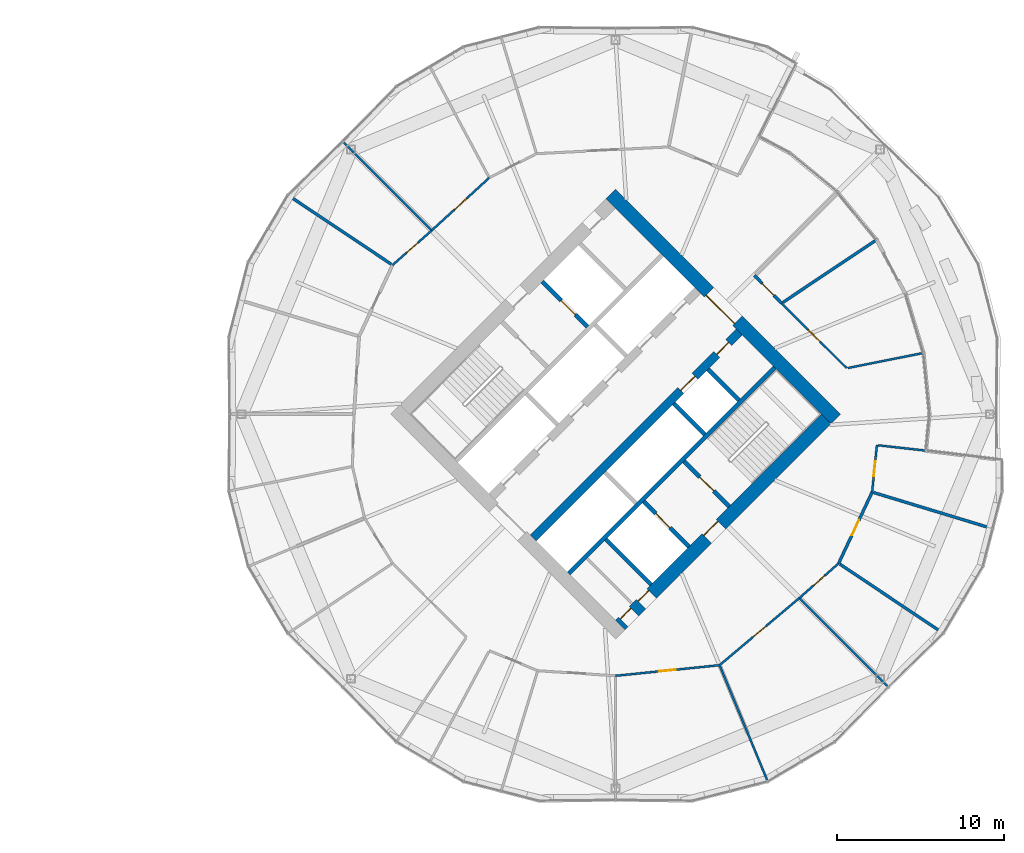
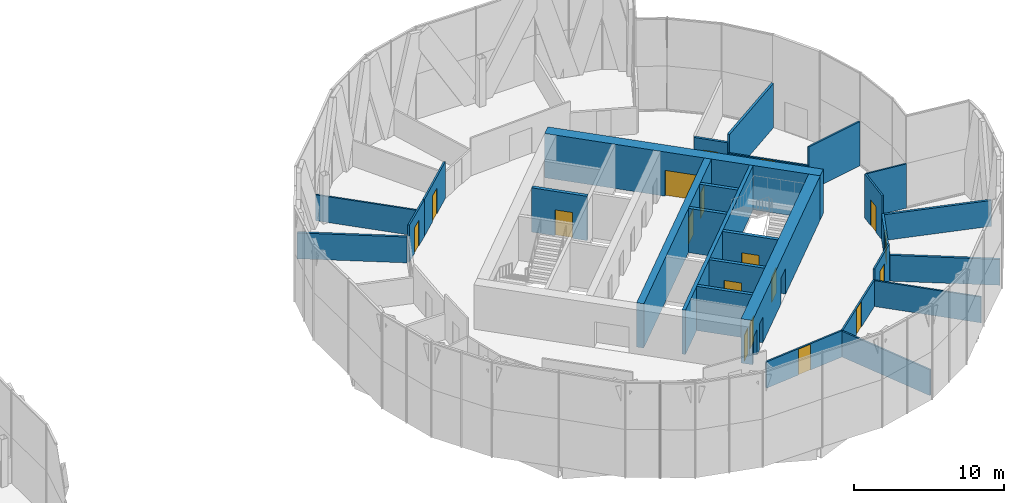
# One storey, part 22 of 27: 28 walls, 18 doors, 18 openings.
"""IFC4 building model written with IfcOpenShell, lengths in metres."""

from ifc_helpers import new_model, si_unit, direction, frame, frame_2d, origin, place, context, subcontext, project, spatial, rectangle, extrude, material, layer, layer_set, type_object, element, fill, save


model = new_model("IFC4")

# Units and contexts
model_context = context("Model", 3, precision=1e-05, world=origin(), true_north=direction((0.0, 1.0)))
body_context = subcontext(model_context, "Body", "Model", "MODEL_VIEW")
ifc_project = project(units=[si_unit("LENGTHUNIT", "METRE"), si_unit("AREAUNIT", "SQUARE_METRE"), si_unit("VOLUMEUNIT", "CUBIC_METRE"), si_unit("PLANEANGLEUNIT", "RADIAN"), si_unit("MASSUNIT", "GRAM", prefix="KILO")], contexts=[model_context])

# Site, building, storey
site_placement = place(None, origin())
site = spatial("IfcSite", under=ifc_project, at=site_placement, CompositionType="ELEMENT")
building_placement = place(site_placement, origin())
building = spatial("IfcBuilding", under=site, at=building_placement, Name="Ogive Gate Towers", CompositionType="ELEMENT")
storey_placement = place(building_placement, frame((0.0, 0.0, 123.0)))
storey = spatial("IfcBuildingStorey", under=building, at=storey_placement, Name="L29", CompositionType="ELEMENT", Elevation=123.0)

# Walls
ifc_material_1 = material(Name="Gypsum board acoustic partition")
ifc_layer_1 = layer(ifc_material_1, 0.175048828125)
ifc_layer_set_1 = layer_set([ifc_layer_1], Name="Acoustic partition 175")
wall_type_1 = type_object("IfcWallType", Name="Acoustic partition 175", PredefinedType="PARTITIONING", material=ifc_layer_set_1)
wall_1_placement = place(storey_placement, frame((51.506591796875, 10.361083984375, 0.0), z_axis=(0.0, 0.0, 1.0), x_axis=(-0.831466458256, -0.555574953356, 0.0)))
element("IfcWall", 1, at=wall_1_placement, inside=storey, type_object=wall_type_1, Name="Partition T2-L29-002", PredefinedType="PARTITIONING", context=body_context, shape_type="SweptSolid", body=[
    extrude(rectangle(XDim=6.631591796875, YDim=0.175048828125, at=frame_2d((3.31591796875, 0.0))), origin(), (0.0, 0.0, 1.0), 3.60009765625),
])
for number, where, z_axis, x_axis, name in (
    (2, (16.506591796875, 13.0341796875, 0.0), (0.0, 0.0, 1.0), (0.831291310692, -0.555836987585, 0.0), "Partition T2-L29-009"),
    (3, (55.493408203125, -13.0341796875, 0.0), (0.0, 0.0, 1.0), (-0.831291310692, 0.555836987585, 0.0), "Partition T2-L29-021"),
    (4, (58.4248046875, -6.80859375, 0.0), (0.0, 0.0, 1.0), (-0.956872477348, 0.290508282317, 0.0), "Partition T2-L29-022"),
):
    element("IfcWall", number, at=place(storey_placement, frame(where, z_axis=z_axis, x_axis=x_axis)), inside=storey, type_object=wall_type_1, Name=name, PredefinedType="PARTITIONING", context=body_context, shape_type="SweptSolid", body=[
        extrude(rectangle(XDim=7.33154296875, YDim=0.175048828125, at=frame_2d((3.665771484375, 0.0))), origin(), (0.0, 0.0, 1.0), 2.10009765625),
    ])

# Wall, opening, door
wall_2_placement = place(storey_placement, frame((44.294677734375, 8.294677734375, 0.0), z_axis=(0.0, 0.0, 1.0), x_axis=(0.698188847293, -0.715913635515, 0.0)))
wall_2 = element("IfcWall", 5, at=wall_2_placement, inside=storey, type_object=wall_type_1, Name="Partition T2-L29-035", PredefinedType="PARTITIONING", context=body_context, shape_type="SweptSolid", body=[
    extrude(rectangle(XDim=2.327880859375, YDim=0.175048828125, at=frame_2d((1.1640625, 0.0))), origin(), (0.0, 0.0, 1.0), 3.010009765625),
])
opening_1_placement = place(wall_2_placement, frame((0.6640625, 0.0, 0.0)))
opening_1 = element("IfcOpeningElement", 6, at=opening_1_placement, cuts=wall_2, Name="Opening T2-L29-D12", PredefinedType="OPENING", context=body_context, shape_type="SweptSolid", body=[
    extrude(rectangle(XDim=1.0, YDim=2.10009765625, at=frame_2d((0.5, 1.050048828125))), frame((0.0, 0.09765625, 0.0), z_axis=(0.0, -1.0, 0.0), x_axis=(1.0, 0.0, 0.0)), (0.0, 0.0, 1.0), 0.195068359375),
])
ifc_material_2 = material(Name="Timber door", Category="wood")
door_type_1 = type_object("IfcDoorType", Name="Door 1000", OperationType="NOTDEFINED", PredefinedType="DOOR", material=ifc_material_2)
door_1_placement = place(opening_1_placement, origin())
door_1 = element("IfcDoor", 7, at=door_1_placement, inside=storey, type_object=door_type_1, Name="Door T2-L29-D12", OperationType="SINGLE_SWING_LEFT", OverallHeight=2.10009765625, OverallWidth=1.0, PredefinedType="DOOR", context=body_context, shape_type="SweptSolid", body=[
    extrude(rectangle(XDim=1.0, YDim=2.10009765625, at=frame_2d((0.5, 1.050048828125))), frame((0.0, 0.02490234375, 0.0), z_axis=(0.0, -1.0, 0.0), x_axis=(1.0, 0.0, 0.0)), (0.0, 0.0, 1.0), 0.050048828125),
])
fill(opening_1, door_1)

wall_3_placement = place(storey_placement, frame((51.32568359375, -4.6533203125, 0.0), z_axis=(0.0, 0.0, 1.0), x_axis=(-0.425174486492, -0.905111405318, 0.0)))
wall_3 = element("IfcWall", 8, at=wall_3_placement, inside=storey, type_object=wall_type_1, Name="Partition T2-L29-038", PredefinedType="PARTITIONING", context=body_context, shape_type="SweptSolid", body=[
    extrude(rectangle(XDim=4.703369140625, YDim=0.175048828125, at=frame_2d((2.3515625, 0.0))), origin(), (0.0, 0.0, 1.0), 2.139892578125),
])
opening_2_placement = place(wall_3_placement, frame((1.85205078125, 0.0, 0.0)))
opening_2 = element("IfcOpeningElement", 9, at=opening_2_placement, cuts=wall_3, Name="Opening T2-L29-D15", PredefinedType="OPENING", context=body_context, shape_type="SweptSolid", body=[
    extrude(rectangle(XDim=1.0, YDim=2.10009765625, at=frame_2d((0.5, 1.050048828125))), frame((0.0, 0.09765625, 0.0), z_axis=(0.0, -1.0, 0.0), x_axis=(1.0, 0.0, 0.0)), (0.0, 0.0, 1.0), 0.195068359375),
])
door_2_placement = place(opening_2_placement, origin())
door_2 = element("IfcDoor", 10, at=door_2_placement, inside=storey, type_object=door_type_1, Name="Door T2-L29-D15", OperationType="SINGLE_SWING_LEFT", OverallHeight=2.10009765625, OverallWidth=1.0, PredefinedType="DOOR", context=body_context, shape_type="SweptSolid", body=[
    extrude(rectangle(XDim=1.0, YDim=2.10009765625, at=frame_2d((0.5, 1.050048828125))), frame((0.0, 0.02490234375, 0.0), z_axis=(0.0, -1.0, 0.0), x_axis=(1.0, 0.0, 0.0)), (0.0, 0.0, 1.0), 0.050048828125),
])
fill(opening_2, door_2)

# Wall, openings, doors
ifc_material_3 = material(Name="Concrete C60/75", Category="concrete")
ifc_layer_2 = layer(ifc_material_3, 0.800048828125)
ifc_layer_set_2 = layer_set([ifc_layer_2], Name="Core wall 800 mm")
wall_type_2 = type_object("IfcWallType", Name="Core wall 800 mm", PredefinedType="SHEAR", material=ifc_layer_set_2)
wall_4_placement = place(storey_placement, frame((36.28271484375, -12.58642578125, 0.0), z_axis=(0.0, 0.0, 1.0), x_axis=(0.707106781187, 0.707106781187, 0.0)))
wall_4 = element("IfcWall", 11, at=wall_4_placement, inside=storey, type_object=wall_type_2, Name="T2 L29 Core wall 800 mm", PredefinedType="SHEAR", context=body_context, shape_type="SweptSolid", body=[
    extrude(rectangle(XDim=17.400146484375, YDim=0.800048828125, at=frame_2d((8.7001953125, 0.0))), origin(), (0.0, 0.0, 1.0), 3.60009765625),
])
opening_3_placement = place(wall_4_placement, frame((7.300048828125, 0.0, 0.0)))
opening_3 = element("IfcOpeningElement", 12, at=opening_3_placement, cuts=wall_4, Name="Opening KD-T2-L29-16", PredefinedType="OPENING", context=body_context, shape_type="SweptSolid", body=[
    extrude(rectangle(XDim=1.199951171875, YDim=2.10009765625, at=frame_2d((0.60009765625, 1.050048828125))), frame((0.0, 0.41015625, 0.0), z_axis=(0.0, -1.0, 0.0), x_axis=(1.0, 0.0, 0.0)), (0.0, 0.0, 1.0), 0.820068359375),
])
opening_4_placement = place(wall_4_placement, frame((0.25, 0.0, 0.0)))
opening_4 = element("IfcOpeningElement", 13, at=opening_4_placement, cuts=wall_4, Name="Opening KD-T2-L29-18", PredefinedType="OPENING", context=body_context, shape_type="SweptSolid", body=[
    extrude(rectangle(XDim=0.89990234375, YDim=2.10009765625, at=frame_2d((0.449951171875, 1.050048828125))), frame((0.0, 0.41015625, 0.0), z_axis=(0.0, -1.0, 0.0), x_axis=(1.0, 0.0, 0.0)), (0.0, 0.0, 1.0), 0.820068359375),
])
opening_5_placement = place(wall_4_placement, frame((1.75, 0.0, 0.0)))
opening_5 = element("IfcOpeningElement", 14, at=opening_5_placement, cuts=wall_4, Name="Opening KD-T2-L29-19", PredefinedType="OPENING", context=body_context, shape_type="SweptSolid", body=[
    extrude(rectangle(XDim=0.89990234375, YDim=2.10009765625, at=frame_2d((0.449951171875, 1.050048828125))), frame((0.0, 0.41015625, 0.0), z_axis=(0.0, -1.0, 0.0), x_axis=(1.0, 0.0, 0.0)), (0.0, 0.0, 1.0), 0.820068359375),
])
door_type_2 = type_object("IfcDoorType", Name="Core WC door 900 x 2100", OperationType="NOTDEFINED", PredefinedType="DOOR", material=ifc_material_2)
door_3_placement = place(opening_4_placement, origin())
door_3 = element("IfcDoor", 15, at=door_3_placement, inside=storey, type_object=door_type_2, Name="T2 L29 Core door", OperationType="SINGLE_SWING_LEFT", OverallHeight=2.10009765625, OverallWidth=0.89990234375, PredefinedType="DOOR", context=body_context, shape_type="SweptSolid", body=[
    extrude(rectangle(XDim=0.89990234375, YDim=2.10009765625, at=frame_2d((0.449951171875, 1.050048828125))), frame((0.0, 0.27490234375, 0.0), z_axis=(0.0, -1.0, 0.0), x_axis=(1.0, 0.0, 0.0)), (0.0, 0.0, 1.0), 0.050048828125),
])
fill(opening_4, door_3)
door_4_placement = place(opening_5_placement, origin())
door_4 = element("IfcDoor", 16, at=door_4_placement, inside=storey, type_object=door_type_2, Name="T2 L29 Core door", OperationType="SINGLE_SWING_RIGHT", OverallHeight=2.10009765625, OverallWidth=0.89990234375, PredefinedType="DOOR", context=body_context, shape_type="SweptSolid", body=[
    extrude(rectangle(XDim=0.89990234375, YDim=2.10009765625, at=frame_2d((0.449951171875, 1.050048828125))), frame((0.0, 0.27490234375, 0.0), z_axis=(0.0, -1.0, 0.0), x_axis=(1.0, 0.0, 0.0)), (0.0, 0.0, 1.0), 0.050048828125),
])
fill(opening_5, door_4)
ifc_material_4 = material(Name="Steel fire door", Category="steel")
door_type_3 = type_object("IfcDoorType", Name="Core door FD60S 1200 x 2100", OperationType="NOTDEFINED", PredefinedType="DOOR", material=ifc_material_4)
door_5_placement = place(opening_3_placement, origin())
door_5 = element("IfcDoor", 17, at=door_5_placement, inside=storey, type_object=door_type_3, Name="T2 L29 Fire-fighting lobby door", OperationType="SINGLE_SWING_LEFT", OverallHeight=2.10009765625, OverallWidth=1.199951171875, PredefinedType="DOOR", context=body_context, shape_type="SweptSolid", body=[
    extrude(rectangle(XDim=1.199951171875, YDim=2.10009765625, at=frame_2d((0.60009765625, 1.050048828125))), frame((0.0, 0.27490234375, 0.0), z_axis=(0.0, -1.0, 0.0), x_axis=(1.0, 0.0, 0.0)), (0.0, 0.0, 1.0), 0.050048828125),
])
fill(opening_3, door_5)

# Wall, opening, door
wall_5_placement = place(storey_placement, frame((49.152099609375, -0.28271484375, 0.0), z_axis=(0.0, 0.0, 1.0), x_axis=(-0.707106781187, 0.707106781187, 0.0)))
wall_5 = element("IfcWall", 18, at=wall_5_placement, inside=storey, type_object=wall_type_2, Name="T2 L29 Core wall 800 mm", PredefinedType="SHEAR", context=body_context, shape_type="SweptSolid", body=[
    extrude(rectangle(XDim=18.999755859375, YDim=0.800048828125, at=frame_2d((9.5, 0.0))), origin(), (0.0, 0.0, 1.0), 3.60009765625),
])
opening_6_placement = place(wall_5_placement, frame((8.300048828125, 0.0, 0.0)))
opening_6 = element("IfcOpeningElement", 19, at=opening_6_placement, cuts=wall_5, Name="Opening KD-T2-L29-02", PredefinedType="OPENING", context=body_context, shape_type="SweptSolid", body=[
    extrude(rectangle(XDim=2.39990234375, YDim=2.10009765625, at=frame_2d((1.199951171875, 1.050048828125))), frame((0.0, 0.41015625, 0.0), z_axis=(0.0, -1.0, 0.0), x_axis=(1.0, 0.0, 0.0)), (0.0, 0.0, 1.0), 0.820068359375),
])
door_type_4 = type_object("IfcDoorType", Name="Core double door FD60S 2400 x 2100", OperationType="DOUBLE_DOOR_SINGLE_SWING", PredefinedType="DOOR", material=ifc_material_4)
door_6_placement = place(opening_6_placement, origin())
door_6 = element("IfcDoor", 20, at=door_6_placement, inside=storey, type_object=door_type_4, Name="T2 L29 Core door double", OperationType="DOUBLE_DOOR_SINGLE_SWING", OverallHeight=2.10009765625, OverallWidth=2.39990234375, PredefinedType="DOOR", context=body_context, shape_type="SweptSolid", body=[
    extrude(rectangle(XDim=2.39990234375, YDim=2.10009765625, at=frame_2d((1.199951171875, 1.050048828125))), frame((0.0, 0.27490234375, 0.0), z_axis=(0.0, -1.0, 0.0), x_axis=(1.0, 0.0, 0.0)), (0.0, 0.0, 1.0), 0.050048828125),
])
fill(opening_6, door_6)

# Walls
ifc_material_5 = material(Name="Gypsum board partition")
ifc_layer_3 = layer(ifc_material_5, 0.125)
ifc_layer_set_3 = layer_set([ifc_layer_3], Name="Partition 125")
wall_type_3 = type_object("IfcWallType", Name="Partition 125", PredefinedType="PARTITIONING", material=ifc_layer_set_3)
wall_6_placement = place(storey_placement, frame((54.291015625, 3.63818359375, 0.0), z_axis=(0.0, 0.0, 1.0), x_axis=(-0.980786415449, -0.195084615667, 0.0)))
element("IfcWall", 21, at=wall_6_placement, inside=storey, type_object=wall_type_3, Name="Partition T2-L29-001", PredefinedType="PARTITIONING", context=body_context, shape_type="SweptSolid", body=[
    extrude(rectangle(XDim=4.506591796875, YDim=0.125, at=frame_2d((2.25341796875, 0.0))), origin(), (0.0, 0.0, 1.0), 3.60009765625),
])
wall_7_placement = place(storey_placement, frame((19.772705078125, 16.227294921875, 0.0), z_axis=(0.0, 0.0, 1.0), x_axis=(0.707106781187, -0.707106781187, 0.0)))
element("IfcWall", 22, at=wall_7_placement, inside=storey, type_object=wall_type_3, Name="Partition T2-L29-008", PredefinedType="PARTITIONING", context=body_context, shape_type="SweptSolid", body=[
    extrude(rectangle(XDim=7.356201171875, YDim=0.125, at=frame_2d((3.67822265625, 0.0))), origin(), (0.0, 0.0, 1.0), 2.10009765625),
])
wall_8_placement = place(storey_placement, frame((45.05029296875, -21.849853515625, 0.0), z_axis=(0.0, 0.0, 1.0), x_axis=(-0.382675179038, 0.923882951108, 0.0)))
element("IfcWall", 23, at=wall_8_placement, inside=storey, type_object=wall_type_3, Name="Partition T2-L29-019", PredefinedType="PARTITIONING", context=body_context, shape_type="SweptSolid", body=[
    extrude(rectangle(XDim=7.356689453125, YDim=0.125, at=frame_2d((3.67822265625, 0.0))), origin(), (0.0, 0.0, 1.0), 2.10009765625),
])
wall_9_placement = place(storey_placement, frame((52.227294921875, -16.227294921875, 0.0), z_axis=(0.0, 0.0, 1.0), x_axis=(-0.707106781187, 0.707106781187, 0.0)))
element("IfcWall", 24, at=wall_9_placement, inside=storey, type_object=wall_type_3, Name="Partition T2-L29-020", PredefinedType="PARTITIONING", context=body_context, shape_type="SweptSolid", body=[
    extrude(rectangle(XDim=7.356201171875, YDim=0.125, at=frame_2d((3.67822265625, 0.0))), origin(), (0.0, 0.0, 1.0), 2.10009765625),
])
wall_10_placement = place(storey_placement, frame((54.5361328125, -2.17529296875, 0.0), z_axis=(0.0, 0.0, 1.0), x_axis=(-0.993844391456, 0.110785042186, 0.0)))
element("IfcWall", 25, at=wall_10_placement, inside=storey, type_object=wall_type_3, Name="Partition T2-L29-023", PredefinedType="PARTITIONING", context=body_context, shape_type="SweptSolid", body=[
    extrude(rectangle(XDim=2.88037109375, YDim=0.125, at=frame_2d((1.440185546875, 0.0))), origin(), (0.0, 0.0, 1.0), 3.60009765625),
])

# Wall, opening, door
wall_11_placement = place(storey_placement, frame((22.674072265625, 8.910400390625, 0.0), z_axis=(0.0, 0.0, 1.0), x_axis=(0.749459658288, 0.662050013669, 0.0)))
wall_11 = element("IfcWall", 26, at=wall_11_placement, inside=storey, type_object=wall_type_3, Name="Partition T2-L29-030", PredefinedType="PARTITIONING", context=body_context, shape_type="SweptSolid", body=[
    extrude(rectangle(XDim=3.128173828125, YDim=0.125, at=frame_2d((1.56396484375, 0.0))), origin(), (0.0, 0.0, 1.0), 3.010009765625),
])
opening_7_placement = place(wall_11_placement, frame((1.114013671875, 0.0, 0.0)))
opening_7 = element("IfcOpeningElement", 27, at=opening_7_placement, cuts=wall_11, Name="Opening T2-L29-D07", PredefinedType="OPENING", context=body_context, shape_type="SweptSolid", body=[
    extrude(rectangle(XDim=0.89990234375, YDim=2.10009765625, at=frame_2d((0.449951171875, 1.050048828125))), frame((0.0, 0.072509765625, 0.0), z_axis=(0.0, -1.0, 0.0), x_axis=(1.0, 0.0, 0.0)), (0.0, 0.0, 1.0), 0.14501953125),
])
door_type_5 = type_object("IfcDoorType", Name="Door 900", OperationType="NOTDEFINED", PredefinedType="DOOR", material=ifc_material_2)
door_7_placement = place(opening_7_placement, origin())
door_7 = element("IfcDoor", 28, at=door_7_placement, inside=storey, type_object=door_type_5, Name="Door T2-L29-D07", OperationType="SINGLE_SWING_LEFT", OverallHeight=2.10009765625, OverallWidth=0.89990234375, PredefinedType="DOOR", context=body_context, shape_type="SweptSolid", body=[
    extrude(rectangle(XDim=0.89990234375, YDim=2.10009765625, at=frame_2d((0.449951171875, 1.050048828125))), frame((0.0, 0.02490234375, 0.0), z_axis=(0.0, -1.0, 0.0), x_axis=(1.0, 0.0, 0.0)), (0.0, 0.0, 1.0), 0.050048828125),
])
fill(opening_7, door_7)

wall_12_placement = place(storey_placement, frame((25.0185546875, 10.9814453125, 0.0), z_axis=(0.0, 0.0, 1.0), x_axis=(0.737480412375, 0.675368522633, 0.0)))
wall_12 = element("IfcWall", 29, at=wall_12_placement, inside=storey, type_object=wall_type_3, Name="Partition T2-L29-031", PredefinedType="PARTITIONING", context=body_context, shape_type="SweptSolid", body=[
    extrude(rectangle(XDim=4.65771484375, YDim=0.125, at=frame_2d((2.328857421875, 0.0))), origin(), (0.0, 0.0, 1.0), 3.010009765625),
])
opening_8_placement = place(wall_12_placement, frame((1.8291015625, 0.0, 0.0)))
opening_8 = element("IfcOpeningElement", 30, at=opening_8_placement, cuts=wall_12, Name="Opening T2-L29-D08", PredefinedType="OPENING", context=body_context, shape_type="SweptSolid", body=[
    extrude(rectangle(XDim=1.0, YDim=2.10009765625, at=frame_2d((0.5, 1.050048828125))), frame((0.0, 0.072509765625, 0.0), z_axis=(0.0, -1.0, 0.0), x_axis=(1.0, 0.0, 0.0)), (0.0, 0.0, 1.0), 0.14501953125),
])
door_8_placement = place(opening_8_placement, origin())
door_8 = element("IfcDoor", 31, at=door_8_placement, inside=storey, type_object=door_type_1, Name="Door T2-L29-D08", OperationType="SINGLE_SWING_LEFT", OverallHeight=2.10009765625, OverallWidth=1.0, PredefinedType="DOOR", context=body_context, shape_type="SweptSolid", body=[
    extrude(rectangle(XDim=1.0, YDim=2.10009765625, at=frame_2d((0.5, 1.050048828125))), frame((0.0, 0.02490234375, 0.0), z_axis=(0.0, -1.0, 0.0), x_axis=(1.0, 0.0, 0.0)), (0.0, 0.0, 1.0), 0.050048828125),
])
fill(opening_8, door_8)

wall_13_placement = place(storey_placement, frame((45.919921875, 6.628173828125, 0.0), z_axis=(0.0, 0.0, 1.0), x_axis=(0.707883857498, -0.706328849966, 0.0)))
wall_13 = element("IfcWall", 32, at=wall_13_placement, inside=storey, type_object=wall_type_3, Name="Partition T2-L29-036", PredefinedType="PARTITIONING", context=body_context, shape_type="SweptSolid", body=[
    extrude(rectangle(XDim=5.4951171875, YDim=0.125, at=frame_2d((2.74755859375, 0.0))), origin(), (0.0, 0.0, 1.0), 2.139892578125),
])
opening_9_placement = place(wall_13_placement, frame((2.248046875, 0.0, 0.0)))
opening_9 = element("IfcOpeningElement", 33, at=opening_9_placement, cuts=wall_13, Name="Opening T2-L29-D13", PredefinedType="OPENING", context=body_context, shape_type="SweptSolid", body=[
    extrude(rectangle(XDim=1.0, YDim=2.10009765625, at=frame_2d((0.5, 1.050048828125))), frame((0.0, 0.072509765625, 0.0), z_axis=(0.0, -1.0, 0.0), x_axis=(1.0, 0.0, 0.0)), (0.0, 0.0, 1.0), 0.14501953125),
])
door_9_placement = place(opening_9_placement, origin())
door_9 = element("IfcDoor", 34, at=door_9_placement, inside=storey, type_object=door_type_1, Name="Door T2-L29-D13", OperationType="SINGLE_SWING_RIGHT", OverallHeight=2.10009765625, OverallWidth=1.0, PredefinedType="DOOR", context=body_context, shape_type="SweptSolid", body=[
    extrude(rectangle(XDim=1.0, YDim=2.10009765625, at=frame_2d((0.5, 1.050048828125))), frame((0.0, 0.02490234375, 0.0), z_axis=(0.0, -1.0, 0.0), x_axis=(1.0, 0.0, 0.0)), (0.0, 0.0, 1.0), 0.050048828125),
])
fill(opening_9, door_9)

wall_14_placement = place(storey_placement, frame((51.61181640625, -1.848876953125, 0.0), z_axis=(0.0, 0.0, 1.0), x_axis=(-0.101501443312, -0.994835391914, 0.0)))
wall_14 = element("IfcWall", 35, at=wall_14_placement, inside=storey, type_object=wall_type_3, Name="Partition T2-L29-037", PredefinedType="PARTITIONING", context=body_context, shape_type="SweptSolid", body=[
    extrude(rectangle(XDim=2.819091796875, YDim=0.125, at=frame_2d((1.40966796875, 0.0))), origin(), (0.0, 0.0, 1.0), 3.60009765625),
])
opening_10_placement = place(wall_14_placement, frame((0.97412109375, 0.0, 0.0)))
opening_10 = element("IfcOpeningElement", 36, at=opening_10_placement, cuts=wall_14, Name="Opening T2-L29-D14", PredefinedType="OPENING", context=body_context, shape_type="SweptSolid", body=[
    extrude(rectangle(XDim=0.89990234375, YDim=2.10009765625, at=frame_2d((0.449951171875, 1.050048828125))), frame((0.0, 0.072509765625, 0.0), z_axis=(0.0, -1.0, 0.0), x_axis=(1.0, 0.0, 0.0)), (0.0, 0.0, 1.0), 0.14501953125),
])
door_10_placement = place(opening_10_placement, origin())
door_10 = element("IfcDoor", 37, at=door_10_placement, inside=storey, type_object=door_type_5, Name="Door T2-L29-D14", OperationType="SINGLE_SWING_RIGHT", OverallHeight=2.10009765625, OverallWidth=0.89990234375, PredefinedType="DOOR", context=body_context, shape_type="SweptSolid", body=[
    extrude(rectangle(XDim=0.89990234375, YDim=2.10009765625, at=frame_2d((0.449951171875, 1.050048828125))), frame((0.0, 0.02490234375, 0.0), z_axis=(0.0, -1.0, 0.0), x_axis=(1.0, 0.0, 0.0)), (0.0, 0.0, 1.0), 0.050048828125),
])
fill(opening_10, door_10)

wall_15_placement = place(storey_placement, frame((49.325927734375, -8.910400390625, 0.0), z_axis=(0.0, 0.0, 1.0), x_axis=(-0.749459658288, -0.662050013669, 0.0)))
wall_15 = element("IfcWall", 38, at=wall_15_placement, inside=storey, type_object=wall_type_3, Name="Partition T2-L29-039", PredefinedType="PARTITIONING", context=body_context, shape_type="SweptSolid", body=[
    extrude(rectangle(XDim=3.128173828125, YDim=0.125, at=frame_2d((1.56396484375, 0.0))), origin(), (0.0, 0.0, 1.0), 3.010009765625),
])
opening_11_placement = place(wall_15_placement, frame((1.114013671875, 0.0, 0.0)))
opening_11 = element("IfcOpeningElement", 39, at=opening_11_placement, cuts=wall_15, Name="Opening T2-L29-D16", PredefinedType="OPENING", context=body_context, shape_type="SweptSolid", body=[
    extrude(rectangle(XDim=0.89990234375, YDim=2.10009765625, at=frame_2d((0.449951171875, 1.050048828125))), frame((0.0, 0.072509765625, 0.0), z_axis=(0.0, -1.0, 0.0), x_axis=(1.0, 0.0, 0.0)), (0.0, 0.0, 1.0), 0.14501953125),
])
door_11_placement = place(opening_11_placement, origin())
door_11 = element("IfcDoor", 40, at=door_11_placement, inside=storey, type_object=door_type_5, Name="Door T2-L29-D16", OperationType="SINGLE_SWING_RIGHT", OverallHeight=2.10009765625, OverallWidth=0.89990234375, PredefinedType="DOOR", context=body_context, shape_type="SweptSolid", body=[
    extrude(rectangle(XDim=0.89990234375, YDim=2.10009765625, at=frame_2d((0.449951171875, 1.050048828125))), frame((0.0, 0.02490234375, 0.0), z_axis=(0.0, -1.0, 0.0), x_axis=(1.0, 0.0, 0.0)), (0.0, 0.0, 1.0), 0.050048828125),
])
fill(opening_11, door_11)

wall_16_placement = place(storey_placement, frame((46.9814453125, -10.9814453125, 0.0), z_axis=(0.0, 0.0, 1.0), x_axis=(-0.765140649308, -0.643863173956, 0.0)))
wall_16 = element("IfcWall", 41, at=wall_16_placement, inside=storey, type_object=wall_type_3, Name="Partition T2-L29-040", PredefinedType="PARTITIONING", context=body_context, shape_type="SweptSolid", body=[
    extrude(rectangle(XDim=6.234375, YDim=0.125, at=frame_2d((3.1171875, 0.0))), origin(), (0.0, 0.0, 1.0), 2.139892578125),
])
opening_12_placement = place(wall_16_placement, frame((2.616943359375, 0.0, 0.0)))
opening_12 = element("IfcOpeningElement", 42, at=opening_12_placement, cuts=wall_16, Name="Opening T2-L29-D17", PredefinedType="OPENING", context=body_context, shape_type="SweptSolid", body=[
    extrude(rectangle(XDim=1.0, YDim=2.10009765625, at=frame_2d((0.5, 1.050048828125))), frame((0.0, 0.072509765625, 0.0), z_axis=(0.0, -1.0, 0.0), x_axis=(1.0, 0.0, 0.0)), (0.0, 0.0, 1.0), 0.14501953125),
])
door_12_placement = place(opening_12_placement, origin())
door_12 = element("IfcDoor", 43, at=door_12_placement, inside=storey, type_object=door_type_1, Name="Door T2-L29-D17", OperationType="SINGLE_SWING_LEFT", OverallHeight=2.10009765625, OverallWidth=1.0, PredefinedType="DOOR", context=body_context, shape_type="SweptSolid", body=[
    extrude(rectangle(XDim=1.0, YDim=2.10009765625, at=frame_2d((0.5, 1.050048828125))), frame((0.0, 0.02490234375, 0.0), z_axis=(0.0, -1.0, 0.0), x_axis=(1.0, 0.0, 0.0)), (0.0, 0.0, 1.0), 0.050048828125),
])
fill(opening_12, door_12)

wall_17_placement = place(storey_placement, frame((42.211181640625, -14.99560546875, 0.0), z_axis=(0.0, 0.0, 1.0), x_axis=(-0.994826322151, -0.101590298532, 0.0)))
wall_17 = element("IfcWall", 44, at=wall_17_placement, inside=storey, type_object=wall_type_3, Name="Partition T2-L29-041", PredefinedType="PARTITIONING", context=body_context, shape_type="SweptSolid", body=[
    extrude(rectangle(XDim=6.243408203125, YDim=0.125, at=frame_2d((3.12158203125, 0.0))), origin(), (0.0, 0.0, 1.0), 2.139892578125),
])
opening_13_placement = place(wall_17_placement, frame((2.6220703125, 0.0, 0.0)))
opening_13 = element("IfcOpeningElement", 45, at=opening_13_placement, cuts=wall_17, Name="Opening T2-L29-D18", PredefinedType="OPENING", context=body_context, shape_type="SweptSolid", body=[
    extrude(rectangle(XDim=1.0, YDim=2.10009765625, at=frame_2d((0.5, 1.050048828125))), frame((0.0, 0.072509765625, 0.0), z_axis=(0.0, -1.0, 0.0), x_axis=(1.0, 0.0, 0.0)), (0.0, 0.0, 1.0), 0.14501953125),
])
door_13_placement = place(opening_13_placement, origin())
door_13 = element("IfcDoor", 46, at=door_13_placement, inside=storey, type_object=door_type_1, Name="Door T2-L29-D18", OperationType="SINGLE_SWING_LEFT", OverallHeight=2.10009765625, OverallWidth=1.0, PredefinedType="DOOR", context=body_context, shape_type="SweptSolid", body=[
    extrude(rectangle(XDim=1.0, YDim=2.10009765625, at=frame_2d((0.5, 1.050048828125))), frame((0.0, 0.02490234375, 0.0), z_axis=(0.0, -1.0, 0.0), x_axis=(1.0, 0.0, 0.0)), (0.0, 0.0, 1.0), 0.050048828125),
])
fill(opening_13, door_13)

# Walls
ifc_layer_4 = layer(ifc_material_3, 0.25)
ifc_layer_set_4 = layer_set([ifc_layer_4], Name="Shaft wall 250 mm")
wall_type_4 = type_object("IfcWallType", Name="Shaft wall 250 mm", PredefinedType="SHEAR", material=ifc_layer_set_4)
wall_18_placement = place(storey_placement, frame((33.206787109375, -9.510498046875, 0.0), z_axis=(0.0, 0.0, 1.0), x_axis=(0.707106781187, 0.707106781187, 0.0)))
element("IfcWall", 47, at=wall_18_placement, inside=storey, type_object=wall_type_4, Name="T2 L29 Shaft wall 250 mm", PredefinedType="SHEAR", context=body_context, shape_type="SweptSolid", body=[
    extrude(rectangle(XDim=17.400146484375, YDim=0.25, at=frame_2d((8.7001953125, 0.0))), origin(), (0.0, 0.0, 1.0), 3.60009765625),
])
wall_19_placement = place(storey_placement, frame((38.121337890625, -10.182373046875, 0.0), z_axis=(0.0, 0.0, 1.0), x_axis=(-0.707138693938, 0.707074866995, 0.0)))
element("IfcWall", 48, at=wall_19_placement, inside=storey, type_object=wall_type_4, Name="T2 L29 Shaft wall 250 mm", PredefinedType="SHEAR", context=body_context, shape_type="SweptSolid", body=[
    extrude(rectangle(XDim=3.824951171875, YDim=0.25, at=frame_2d((1.91259765625, 0.0))), origin(), (0.0, 0.0, 1.0), 3.60009765625),
])

# Wall, opening, door
wall_20_placement = place(storey_placement, frame((40.384033203125, -7.919677734375, 0.0), z_axis=(0.0, 0.0, 1.0), x_axis=(-0.707074866995, 0.707138693938, 0.0)))
wall_20 = element("IfcWall", 49, at=wall_20_placement, inside=storey, type_object=wall_type_4, Name="T2 L29 Shaft wall 250 mm", PredefinedType="SHEAR", context=body_context, shape_type="SweptSolid", body=[
    extrude(rectangle(XDim=3.824951171875, YDim=0.25, at=frame_2d((1.91259765625, 0.0))), origin(), (0.0, 0.0, 1.0), 3.60009765625),
])
opening_14_placement = place(wall_20_placement, frame((1.60009765625, 0.0, 0.0)))
opening_14 = element("IfcOpeningElement", 50, at=opening_14_placement, cuts=wall_20, Name="Opening LD-T2-L29-11", PredefinedType="OPENING", context=body_context, shape_type="SweptSolid", body=[
    extrude(rectangle(XDim=1.199951171875, YDim=2.10009765625, at=frame_2d((0.60009765625, 1.050048828125))), frame((0.0, 0.135009765625, 0.0), z_axis=(0.0, -1.0, 0.0), x_axis=(1.0, 0.0, 0.0)), (0.0, 0.0, 1.0), 0.27001953125),
])
ifc_material_6 = material(Name="Stainless steel landing door", Category="steel")
door_type_6 = type_object("IfcDoorType", Name="Landing door 1200 x 2100", OperationType="SLIDING_TO_LEFT", PredefinedType="DOOR", material=ifc_material_6)
door_14_placement = place(opening_14_placement, origin())
door_14 = element("IfcDoor", 51, at=door_14_placement, inside=storey, type_object=door_type_6, Name="T2 L29 Lift landing door FF2", OperationType="SLIDING_TO_LEFT", OverallHeight=2.10009765625, OverallWidth=1.199951171875, PredefinedType="DOOR", context=body_context, shape_type="SweptSolid", body=[
    extrude(rectangle(XDim=1.199951171875, YDim=2.10009765625, at=frame_2d((0.60009765625, 1.050048828125))), frame((0.0, 0.02490234375, 0.0), z_axis=(0.0, -1.0, 0.0), x_axis=(1.0, 0.0, 0.0)), (0.0, 0.0, 1.0), 0.050048828125),
])
fill(opening_14, door_14)

wall_21_placement = place(storey_placement, frame((42.7880859375, -5.515380859375, 0.0), z_axis=(0.0, 0.0, 1.0), x_axis=(-0.707106781187, 0.707106781187, 0.0)))
wall_21 = element("IfcWall", 52, at=wall_21_placement, inside=storey, type_object=wall_type_4, Name="T2 L29 Shaft wall 250 mm", PredefinedType="SHEAR", context=body_context, shape_type="SweptSolid", body=[
    extrude(rectangle(XDim=3.824951171875, YDim=0.25, at=frame_2d((1.91259765625, 0.0))), origin(), (0.0, 0.0, 1.0), 3.60009765625),
])
opening_15_placement = place(wall_21_placement, frame((1.300048828125, 0.0, 0.0)))
opening_15 = element("IfcOpeningElement", 53, at=opening_15_placement, cuts=wall_21, Name="Opening KD-T2-L29-14", PredefinedType="OPENING", context=body_context, shape_type="SweptSolid", body=[
    extrude(rectangle(XDim=1.199951171875, YDim=2.10009765625, at=frame_2d((0.60009765625, 1.050048828125))), frame((0.0, 0.135009765625, 0.0), z_axis=(0.0, -1.0, 0.0), x_axis=(1.0, 0.0, 0.0)), (0.0, 0.0, 1.0), 0.27001953125),
])
door_15_placement = place(opening_15_placement, origin())
door_15 = element("IfcDoor", 54, at=door_15_placement, inside=storey, type_object=door_type_3, Name="T2 L29 Stair door", OperationType="SINGLE_SWING_LEFT", OverallHeight=2.10009765625, OverallWidth=1.199951171875, PredefinedType="DOOR", context=body_context, shape_type="SweptSolid", body=[
    extrude(rectangle(XDim=1.199951171875, YDim=2.10009765625, at=frame_2d((0.60009765625, 1.050048828125))), frame((0.0, 0.02490234375, 0.0), z_axis=(0.0, -1.0, 0.0), x_axis=(1.0, 0.0, 0.0)), (0.0, 0.0, 1.0), 0.050048828125),
])
fill(opening_15, door_15)

wall_22_placement = place(storey_placement, frame((34.320556640625, 5.21484375, 0.0), z_axis=(0.0, 0.0, 1.0), x_axis=(-0.707074866995, 0.707138693938, 0.0)))
wall_22 = element("IfcWall", 55, at=wall_22_placement, inside=storey, type_object=wall_type_4, Name="T2 L29 Shaft wall 250 mm", PredefinedType="SHEAR", context=body_context, shape_type="SweptSolid", body=[
    extrude(rectangle(XDim=3.824951171875, YDim=0.25, at=frame_2d((1.91259765625, 0.0))), origin(), (0.0, 0.0, 1.0), 3.60009765625),
])
opening_16_placement = place(wall_22_placement, frame((1.02490234375, 0.0, 0.0)))
opening_16 = element("IfcOpeningElement", 56, at=opening_16_placement, cuts=wall_22, Name="Opening LD-T2-L29-10", PredefinedType="OPENING", context=body_context, shape_type="SweptSolid", body=[
    extrude(rectangle(XDim=1.199951171875, YDim=2.10009765625, at=frame_2d((0.60009765625, 1.050048828125))), frame((0.0, 0.135009765625, 0.0), z_axis=(0.0, -1.0, 0.0), x_axis=(1.0, 0.0, 0.0)), (0.0, 0.0, 1.0), 0.27001953125),
])
door_16_placement = place(opening_16_placement, origin())
door_16 = element("IfcDoor", 57, at=door_16_placement, inside=storey, type_object=door_type_6, Name="T2 L29 Lift landing door FF1", OperationType="SLIDING_TO_LEFT", OverallHeight=2.10009765625, OverallWidth=1.199951171875, PredefinedType="DOOR", context=body_context, shape_type="SweptSolid", body=[
    extrude(rectangle(XDim=1.199951171875, YDim=2.10009765625, at=frame_2d((0.60009765625, 1.050048828125))), frame((0.0, 0.02490234375, 0.0), z_axis=(0.0, -1.0, 0.0), x_axis=(1.0, 0.0, 0.0)), (0.0, 0.0, 1.0), 0.050048828125),
])
fill(opening_16, door_16)

# Walls
for number, where, z_axis, x_axis, name in (
    (58, (41.321044921875, -1.2197265625, 0.0), (0.0, 0.0, 1.0), (-0.707106781187, 0.707106781187, 0.0), "T2 L29 Shaft wall 250 mm"),
    (59, (43.37158203125, 0.830810546875, 0.0), (0.0, 0.0, 1.0), (-0.707106781187, 0.707106781187, 0.0), "T2 L29 Shaft wall 250 mm"),
):
    element("IfcWall", number, at=place(storey_placement, frame(where, z_axis=z_axis, x_axis=x_axis)), inside=storey, type_object=wall_type_4, Name=name, PredefinedType="SHEAR", context=body_context, shape_type="SweptSolid", body=[
        extrude(rectangle(XDim=2.625, YDim=0.25, at=frame_2d((1.3125, 0.0))), origin(), (0.0, 0.0, 1.0), 3.60009765625),
    ])

# Wall, openings, doors
ifc_layer_5 = layer(ifc_material_3, 0.5)
ifc_layer_set_5 = layer_set([ifc_layer_5], Name="Spine wall 500 mm")
wall_type_5 = type_object("IfcWallType", Name="Spine wall 500 mm", PredefinedType="SHEAR", material=ifc_layer_set_5)
wall_23_placement = place(storey_placement, frame((31.085693359375, -7.389404296875, 0.0), z_axis=(0.0, 0.0, 1.0), x_axis=(0.707106781187, 0.707106781187, 0.0)))
wall_23 = element("IfcWall", 60, at=wall_23_placement, inside=storey, type_object=wall_type_5, Name="T2 L29 Spine wall 500 mm", PredefinedType="SHEAR", context=body_context, shape_type="SweptSolid", body=[
    extrude(rectangle(XDim=17.400146484375, YDim=0.5, at=frame_2d((8.7001953125, 0.0))), origin(), (0.0, 0.0, 1.0), 3.60009765625),
])
opening_17_placement = place(wall_23_placement, frame((12.449951171875, 0.0, 0.0)))
opening_17 = element("IfcOpeningElement", 61, at=opening_17_placement, cuts=wall_23, Name="Opening LD-T2-L29-09", PredefinedType="OPENING", context=body_context, shape_type="SweptSolid", body=[
    extrude(rectangle(XDim=1.199951171875, YDim=2.10009765625, at=frame_2d((0.60009765625, 1.050048828125))), frame((0.0, 0.260009765625, 0.0), z_axis=(0.0, -1.0, 0.0), x_axis=(1.0, 0.0, 0.0)), (0.0, 0.0, 1.0), 0.52001953125),
])
opening_18_placement = place(wall_23_placement, frame((15.5, 0.0, 0.0)))
opening_18 = element("IfcOpeningElement", 62, at=opening_18_placement, cuts=wall_23, Name="Opening KD-T2-L29-12", PredefinedType="OPENING", context=body_context, shape_type="SweptSolid", body=[
    extrude(rectangle(XDim=1.0, YDim=2.10009765625, at=frame_2d((0.5, 1.050048828125))), frame((0.0, 0.260009765625, 0.0), z_axis=(0.0, -1.0, 0.0), x_axis=(1.0, 0.0, 0.0)), (0.0, 0.0, 1.0), 0.52001953125),
])
door_type_7 = type_object("IfcDoorType", Name="Core door FD60S 1000 x 2100", OperationType="NOTDEFINED", PredefinedType="DOOR", material=ifc_material_4)
door_17_placement = place(opening_18_placement, origin())
door_17 = element("IfcDoor", 63, at=door_17_placement, inside=storey, type_object=door_type_7, Name="T2 L29 Core door", OperationType="SINGLE_SWING_LEFT", OverallHeight=2.10009765625, OverallWidth=1.0, PredefinedType="DOOR", context=body_context, shape_type="SweptSolid", body=[
    extrude(rectangle(XDim=1.0, YDim=2.10009765625, at=frame_2d((0.5, 1.050048828125))), frame((0.0, 0.02490234375, 0.0), z_axis=(0.0, -1.0, 0.0), x_axis=(1.0, 0.0, 0.0)), (0.0, 0.0, 1.0), 0.050048828125),
])
fill(opening_18, door_17)
door_18_placement = place(opening_17_placement, origin())
door_18 = element("IfcDoor", 64, at=door_18_placement, inside=storey, type_object=door_type_6, Name="T2 L29 Lift landing door SVC", OperationType="SLIDING_TO_LEFT", OverallHeight=2.10009765625, OverallWidth=1.199951171875, PredefinedType="DOOR", context=body_context, shape_type="SweptSolid", body=[
    extrude(rectangle(XDim=1.199951171875, YDim=2.10009765625, at=frame_2d((0.60009765625, 1.050048828125))), frame((0.0, 0.02490234375, 0.0), z_axis=(0.0, -1.0, 0.0), x_axis=(1.0, 0.0, 0.0)), (0.0, 0.0, 1.0), 0.050048828125),
])
fill(opening_17, door_18)

save(model, "model.ifc")
